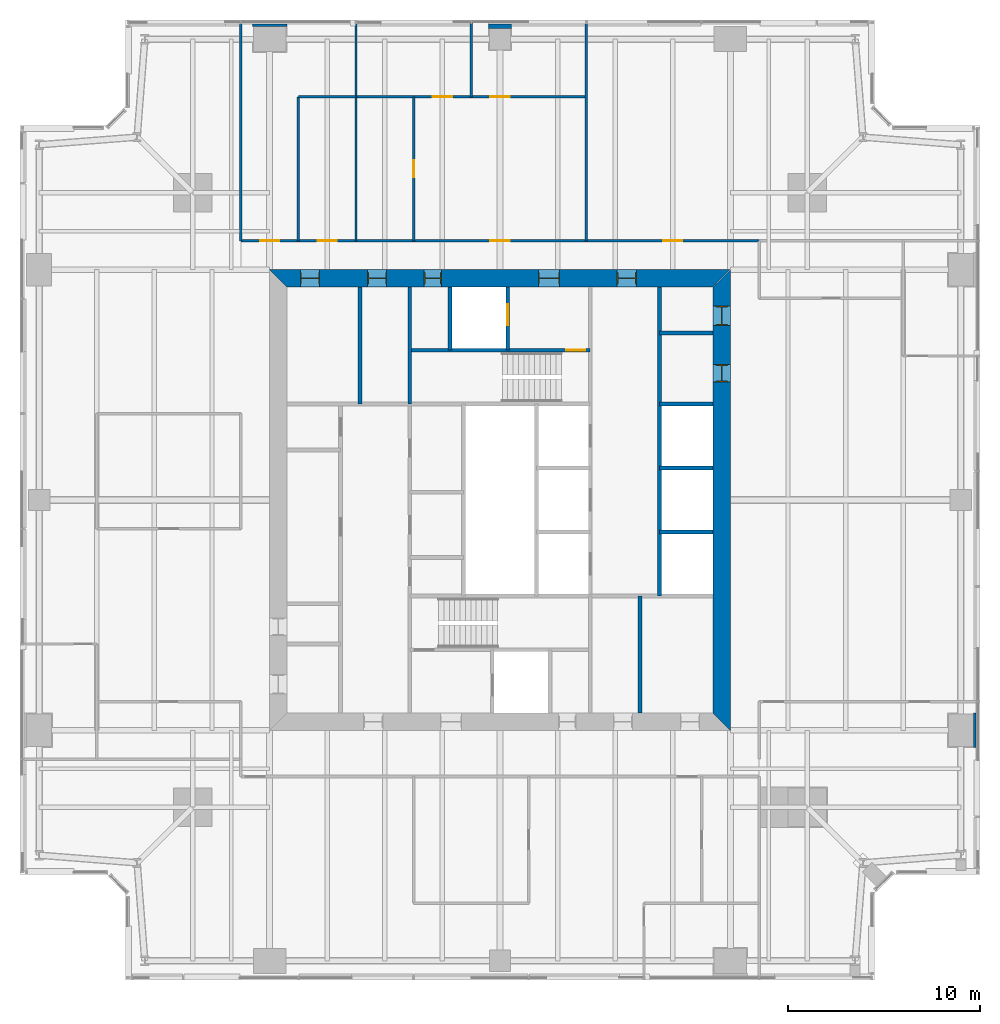
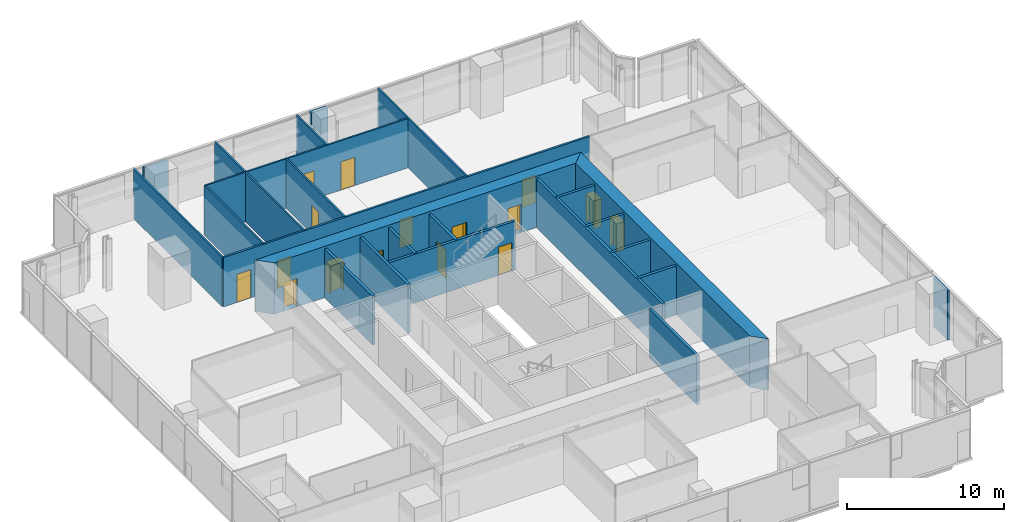
# One storey, part 12 of 15: 25 walls, 16 doors, 16 openings.
"""IFC4 building model written with IfcOpenShell, lengths in metres."""

from ifc_helpers import new_model, si_unit, direction, frame, frame_2d, origin, place, context, subcontext, project, spatial, polyline, rectangle, outline, extrude, material, layer, layer_set, type_object, element, fill, save


model = new_model("IFC4")

# Units and contexts
model_context = context("Model", 3, precision=1e-05, world=origin(), true_north=direction((0.0, 1.0)))
body_context = subcontext(model_context, "Body", "Model", "MODEL_VIEW")
ifc_project = project(units=[si_unit("LENGTHUNIT", "METRE"), si_unit("AREAUNIT", "SQUARE_METRE"), si_unit("VOLUMEUNIT", "CUBIC_METRE"), si_unit("PLANEANGLEUNIT", "RADIAN"), si_unit("MASSUNIT", "GRAM", prefix="KILO")], contexts=[model_context])

# Site, building, storey
site_placement = place(None, origin())
site = spatial("IfcSite", under=ifc_project, at=site_placement, CompositionType="ELEMENT")
building_placement = place(site_placement, origin())
building = spatial("IfcBuilding", under=site, at=building_placement, Name="Fenwick Lantern Interchange", CompositionType="ELEMENT")
storey_placement = place(building_placement, frame((0.0, 0.0, 209.800048828125)))
storey = spatial("IfcBuildingStorey", under=building, at=storey_placement, Name="L49", CompositionType="ELEMENT", Elevation=209.800048828125)

# Walls
ifc_material_1 = material(Name="Fire-rated gypsum board encasement on steel studs, 2 hour", Category="steel")
ifc_layer_1 = layer(ifc_material_1, 1.199951171875)
ifc_layer_set_1 = layer_set([ifc_layer_1], Name="COLUMN PIER 1200")
wall_type_1 = type_object("IfcWallType", Name="COLUMN PIER 1200", PredefinedType="PARTITIONING", material=ifc_layer_set_1)
wall_1_placement = place(storey_placement, frame((25.0, 49.800048828125, 0.0), z_axis=(0.0, 0.0, 1.0), x_axis=(0.0, -1.0, 0.0)))
element("IfcWall", 1, at=wall_1_placement, inside=storey, type_object=wall_type_1, Name="L49/W/PIER/CN3", PredefinedType="PARTITIONING", context=body_context, shape_type="SweptSolid", body=[
    extrude(rectangle(XDim=0.25, YDim=1.199951171875, at=frame_2d((0.125, 0.0))), origin(), (0.0, 0.0, 1.0), 3.849853515625),
])
ifc_layer_2 = layer(ifc_material_1, 1.800048828125)
ifc_layer_set_2 = layer_set([ifc_layer_2], Name="COLUMN PIER 1800")
wall_type_2 = type_object("IfcWallType", Name="COLUMN PIER 1800", PredefinedType="PARTITIONING", material=ifc_layer_set_2)
for number, where, z_axis, x_axis, name in (
    (2, (49.800048828125, 13.0, 0.0), (0.0, 0.0, 1.0), (-1.0, 0.0, 0.0), "L49/W/PIER/CE2"),
    (3, (13.0, 49.800048828125, 0.0), (0.0, 0.0, 1.0), (0.0, -1.0, 0.0), "L49/W/PIER/CN4"),
):
    element("IfcWall", number, at=place(storey_placement, frame(where, z_axis=z_axis, x_axis=x_axis)), inside=storey, type_object=wall_type_2, Name=name, PredefinedType="PARTITIONING", context=body_context, shape_type="SweptSolid", body=[
        extrude(rectangle(XDim=0.150146484375, YDim=1.800048828125, at=frame_2d((0.0751953125, 0.0))), origin(), (0.0, 0.0, 1.0), 3.849853515625),
    ])
ifc_material_2 = material(Name="Concrete masonry ASTM C90 Grade N", Category="masonry")
ifc_layer_3 = layer(ifc_material_2, 0.199951171875)
ifc_layer_set_3 = layer_set([ifc_layer_3], Name="Concrete masonry ASTM C90 Grade N")
wall_type_3 = type_object("IfcWallType", Name="CORE PARTITION 200", PredefinedType="PARTITIONING", material=ifc_layer_set_3)
wall_2_placement = place(storey_placement, frame((32.300048828125, 13.89990234375, 0.0), z_axis=(0.0, 0.0, 1.0), x_axis=(0.0, 1.0, 0.0)))
element("IfcWall", 4, at=wall_2_placement, inside=storey, type_object=wall_type_3, Name="L49/W/CORES/i2", PredefinedType="PARTITIONING", context=body_context, shape_type="SweptSolid", body=[
    extrude(rectangle(XDim=6.10009765625, YDim=0.199951171875, at=frame_2d((3.050048828125, 0.0))), origin(), (0.0, 0.0, 1.0), 3.800048828125),
])
wall_3_placement = place(storey_placement, frame((33.300048828125, 36.10009765625, 0.0), z_axis=(0.0, 0.0, 1.0), x_axis=(0.0, -1.0, 0.0)))
element("IfcWall", 5, at=wall_3_placement, inside=storey, type_object=wall_type_3, Name="L49/W/COREN/a", PredefinedType="PARTITIONING", context=body_context, shape_type="SweptSolid", body=[
    extrude(rectangle(XDim=16.10009765625, YDim=0.199951171875, at=frame_2d((8.050048828125, 0.0))), origin(), (0.0, 0.0, 1.0), 3.800048828125),
])
for number, where, z_axis, x_axis, name in (
    (6, (36.10009765625, 30.0, 0.0), (0.0, 0.0, 1.0), (-1.0, 0.0, 0.0), "L49/W/COREN/c2"),
    (7, (36.10009765625, 26.666748046875, 0.0), (0.0, 0.0, 1.0), (-1.0, 0.0, 0.0), "L49/W/COREN/d1"),
    (8, (36.10009765625, 23.333251953125, 0.0), (0.0, 0.0, 1.0), (-1.0, 0.0, 0.0), "L49/W/COREN/d2"),
):
    element("IfcWall", number, at=place(storey_placement, frame(where, z_axis=z_axis, x_axis=x_axis)), inside=storey, type_object=wall_type_3, Name=name, PredefinedType="PARTITIONING", context=body_context, shape_type="SweptSolid", body=[
        extrude(rectangle(XDim=2.800048828125, YDim=0.199951171875, at=frame_2d((1.39990234375, 0.0))), origin(), (0.0, 0.0, 1.0), 3.800048828125),
    ])

# Wall, opening, door
wall_4_placement = place(storey_placement, frame((25.39990234375, 36.10009765625, 0.0), z_axis=(0.0, 0.0, 1.0), x_axis=(0.0, -1.0, 0.0)))
wall_4 = element("IfcWall", 9, at=wall_4_placement, inside=storey, type_object=wall_type_3, Name="L49/W/COREN/h1", PredefinedType="PARTITIONING", context=body_context, shape_type="SweptSolid", body=[
    extrude(rectangle(XDim=3.300048828125, YDim=0.199951171875, at=frame_2d((1.64990234375, 0.0))), origin(), (0.0, 0.0, 1.0), 3.800048828125),
])
opening_1_placement = place(wall_4_placement, frame((0.89990234375, 0.0, 0.0)))
opening_1 = element("IfcOpeningElement", 10, at=opening_1_placement, cuts=wall_4, Name="Opening LD-FL2", PredefinedType="OPENING", context=body_context, shape_type="SweptSolid", body=[
    extrude(rectangle(XDim=1.10009765625, YDim=2.199951171875, at=frame_2d((0.550048828125, 1.10009765625))), frame((0.0, 0.10986328125, 0.0), z_axis=(0.0, -1.0, 0.0), x_axis=(1.0, 0.0, 0.0)), (0.0, 0.0, 1.0), 0.219970703125),
])
ifc_material_3 = material(Name="Steel door and frame", Category="steel")
door_type_1 = type_object("IfcDoorType", Name="LIFT LANDING DOOR 1100 X 2200", OperationType="DOUBLE_DOOR_SLIDING", PredefinedType="DOOR", material=ifc_material_3)
door_1_placement = place(opening_1_placement, origin())
door_1 = element("IfcDoor", 11, at=door_1_placement, inside=storey, type_object=door_type_1, Name="Lift landing door FL2", OperationType="DOUBLE_DOOR_SLIDING", OverallHeight=2.199951171875, OverallWidth=1.10009765625, PredefinedType="DOOR", context=body_context, shape_type="SweptSolid", body=[
    extrude(rectangle(XDim=1.10009765625, YDim=2.199951171875, at=frame_2d((0.550048828125, 1.10009765625))), frame((0.0, 0.02490234375, 0.0), z_axis=(0.0, -1.0, 0.0), x_axis=(1.0, 0.0, 0.0)), (0.0, 0.0, 1.0), 0.050048828125),
])
fill(opening_1, door_1)

# Walls
wall_5_placement = place(storey_placement, frame((22.39990234375, 36.10009765625, 0.0), z_axis=(0.0, 0.0, 1.0), x_axis=(0.0, -1.0, 0.0)))
element("IfcWall", 12, at=wall_5_placement, inside=storey, type_object=wall_type_3, Name="L49/W/COREN/h2", PredefinedType="PARTITIONING", context=body_context, shape_type="SweptSolid", body=[
    extrude(rectangle(XDim=3.300048828125, YDim=0.199951171875, at=frame_2d((1.64990234375, 0.0))), origin(), (0.0, 0.0, 1.0), 3.800048828125),
])
wall_6_placement = place(storey_placement, frame((17.699951171875, 36.10009765625, 0.0), z_axis=(0.0, 0.0, 1.0), x_axis=(0.0, -1.0, 0.0)))
element("IfcWall", 13, at=wall_6_placement, inside=storey, type_object=wall_type_3, Name="L49/W/COREN/i2", PredefinedType="PARTITIONING", context=body_context, shape_type="SweptSolid", body=[
    extrude(rectangle(XDim=6.10009765625, YDim=0.199951171875, at=frame_2d((3.050048828125, 0.0))), origin(), (0.0, 0.0, 1.0), 3.800048828125),
])
wall_7_placement = place(storey_placement, frame((36.10009765625, 33.699951171875, 0.0), z_axis=(0.0, 0.0, 1.0), x_axis=(-1.0, 0.0, 0.0)))
element("IfcWall", 14, at=wall_7_placement, inside=storey, type_object=wall_type_3, Name="L49/W/COREN/p1", PredefinedType="PARTITIONING", context=body_context, shape_type="SweptSolid", body=[
    extrude(rectangle(XDim=2.800048828125, YDim=0.199951171875, at=frame_2d((1.39990234375, 0.0))), origin(), (0.0, 0.0, 1.0), 3.800048828125),
])

# Wall, openings, doors
ifc_material_4 = material(Name="Concrete f'c 70 MPa", Category="concrete")
ifc_layer_4 = layer(ifc_material_4, 0.89990234375)
ifc_layer_set_4 = layer_set([ifc_layer_4], Name="CORE WALL 900")
wall_type_4 = type_object("IfcWallType", Name="CORE WALL 900", PredefinedType="SHEAR", material=ifc_layer_set_4)
wall_8_placement = place(storey_placement, frame((36.550048828125, 13.89990234375, 0.0), z_axis=(0.0, 0.0, 1.0), x_axis=(0.0, 1.0, 0.0)))
wall_8 = element("IfcWall", 15, at=wall_8_placement, inside=storey, type_object=wall_type_4, Name="L49/CORE/E", PredefinedType="SHEAR", context=body_context, shape_type="SweptSolid", body=[
    extrude(outline(polyline([(-0.89990234375, -0.449951171875), (23.10009765625, -0.449951171875), (22.199951171875, 0.449951171875), (0.0, 0.449951171875), (-0.89990234375, -0.449951171875)])), origin(), (0.0, 0.0, 1.0), 4.0),
])
opening_2_placement = place(wall_8_placement, frame((20.199951171875, 0.0, 0.0)))
opening_2 = element("IfcOpeningElement", 16, at=opening_2_placement, cuts=wall_8, Name="Opening L49-D020", PredefinedType="OPENING", context=body_context, shape_type="SweptSolid", body=[
    extrude(rectangle(XDim=1.0, YDim=2.199951171875, at=frame_2d((0.5, 1.10009765625))), frame((0.0, 0.4599609375, 0.0), z_axis=(0.0, -1.0, 0.0), x_axis=(1.0, 0.0, 0.0)), (0.0, 0.0, 1.0), 0.919921875),
])
opening_3_placement = place(wall_8_placement, frame((17.25, 0.0, 0.0)))
opening_3 = element("IfcOpeningElement", 17, at=opening_3_placement, cuts=wall_8, Name="Opening L49-D021", PredefinedType="OPENING", context=body_context, shape_type="SweptSolid", body=[
    extrude(rectangle(XDim=0.89990234375, YDim=2.199951171875, at=frame_2d((0.449951171875, 1.10009765625))), frame((0.0, 0.4599609375, 0.0), z_axis=(0.0, -1.0, 0.0), x_axis=(1.0, 0.0, 0.0)), (0.0, 0.0, 1.0), 0.919921875),
])
door_type_2 = type_object("IfcDoorType", Name="SERVICE DOOR 1000 X 2200", OperationType="SINGLE_SWING_LEFT", PredefinedType="DOOR", material=ifc_material_3)
door_2_placement = place(opening_2_placement, origin())
door_2 = element("IfcDoor", 18, at=door_2_placement, inside=storey, type_object=door_type_2, Name="Service door", OperationType="SINGLE_SWING_LEFT", OverallHeight=2.199951171875, OverallWidth=1.0, PredefinedType="DOOR", context=body_context, shape_type="SweptSolid", body=[
    extrude(rectangle(XDim=1.0, YDim=2.199951171875, at=frame_2d((0.5, 1.10009765625))), frame((0.0, 0.02490234375, 0.0), z_axis=(0.0, -1.0, 0.0), x_axis=(1.0, 0.0, 0.0)), (0.0, 0.0, 1.0), 0.050048828125),
    extrude(outline(polyline([(0.0, 0.0), (0.0400390625, 0.0), (0.0400390625, 2.159912109375), (0.9599609375, 2.159912109375), (0.9599609375, 0.0), (1.0, 0.0), (1.0, 2.199951171875), (0.0, 2.199951171875), (0.0, 0.0)])), frame((0.0, 0.300048828125, 0.0), z_axis=(0.0, -1.0, 0.0), x_axis=(1.0, 0.0, 0.0)), (0.0, 0.0, 1.0), 0.60009765625),
])
fill(opening_2, door_2)
door_type_3 = type_object("IfcDoorType", Name="SERVICE DOOR 900 X 2200", OperationType="SINGLE_SWING_LEFT", PredefinedType="DOOR", material=ifc_material_3)
door_3_placement = place(opening_3_placement, origin())
door_3 = element("IfcDoor", 19, at=door_3_placement, inside=storey, type_object=door_type_3, Name="Service door", OperationType="SINGLE_SWING_LEFT", OverallHeight=2.199951171875, OverallWidth=0.89990234375, PredefinedType="DOOR", context=body_context, shape_type="SweptSolid", body=[
    extrude(rectangle(XDim=0.89990234375, YDim=2.199951171875, at=frame_2d((0.449951171875, 1.10009765625))), frame((0.0, 0.02490234375, 0.0), z_axis=(0.0, -1.0, 0.0), x_axis=(1.0, 0.0, 0.0)), (0.0, 0.0, 1.0), 0.050048828125),
    extrude(outline(polyline([(0.0, 0.0), (0.0400390625, 0.0), (0.0400390625, 2.159912109375), (0.85986328125, 2.159912109375), (0.85986328125, 0.0), (0.89990234375, 0.0), (0.89990234375, 2.199951171875), (0.0, 2.199951171875), (0.0, 0.0)])), frame((0.0, 0.300048828125, 0.0), z_axis=(0.0, -1.0, 0.0), x_axis=(1.0, 0.0, 0.0)), (0.0, 0.0, 1.0), 0.60009765625),
])
fill(opening_3, door_3)

wall_9_placement = place(storey_placement, frame((37.0, 36.550048828125, 0.0), z_axis=(0.0, 0.0, 1.0), x_axis=(-1.0, 0.0, 0.0)))
wall_9 = element("IfcWall", 20, at=wall_9_placement, inside=storey, type_object=wall_type_4, Name="L49/CORE/N", PredefinedType="SHEAR", context=body_context, shape_type="SweptSolid", body=[
    extrude(outline(polyline([(0.0, -0.449951171875), (24.0, -0.449951171875), (23.10009765625, 0.449951171875), (0.89990234375, 0.449951171875), (0.0, -0.449951171875)])), origin(), (0.0, 0.0, 1.0), 4.0),
])
opening_4_placement = place(wall_9_placement, frame((4.89990234375, 0.0, 0.0)))
opening_4 = element("IfcOpeningElement", 21, at=opening_4_placement, cuts=wall_9, Name="Opening L49-D014", PredefinedType="OPENING", context=body_context, shape_type="SweptSolid", body=[
    extrude(rectangle(XDim=1.0, YDim=2.199951171875, at=frame_2d((0.5, 1.10009765625))), frame((0.0, 0.4599609375, 0.0), z_axis=(0.0, -1.0, 0.0), x_axis=(1.0, 0.0, 0.0)), (0.0, 0.0, 1.0), 0.919921875),
])
opening_5_placement = place(wall_9_placement, frame((8.89990234375, 0.0, 0.0)))
opening_5 = element("IfcOpeningElement", 22, at=opening_5_placement, cuts=wall_9, Name="Opening L49-D015", PredefinedType="OPENING", context=body_context, shape_type="SweptSolid", body=[
    extrude(rectangle(XDim=1.10009765625, YDim=2.199951171875, at=frame_2d((0.550048828125, 1.10009765625))), frame((0.0, 0.4599609375, 0.0), z_axis=(0.0, -1.0, 0.0), x_axis=(1.0, 0.0, 0.0)), (0.0, 0.0, 1.0), 0.919921875),
])
opening_6_placement = place(wall_9_placement, frame((15.050048828125, 0.0, 0.0)))
opening_6 = element("IfcOpeningElement", 23, at=opening_6_placement, cuts=wall_9, Name="Opening L49-D017", PredefinedType="OPENING", context=body_context, shape_type="SweptSolid", body=[
    extrude(rectangle(XDim=0.89990234375, YDim=2.199951171875, at=frame_2d((0.449951171875, 1.10009765625))), frame((0.0, 0.4599609375, 0.0), z_axis=(0.0, -1.0, 0.0), x_axis=(1.0, 0.0, 0.0)), (0.0, 0.0, 1.0), 0.919921875),
])
opening_7_placement = place(wall_9_placement, frame((17.89990234375, 0.0, 0.0)))
opening_7 = element("IfcOpeningElement", 24, at=opening_7_placement, cuts=wall_9, Name="Opening L49-D018", PredefinedType="OPENING", context=body_context, shape_type="SweptSolid", body=[
    extrude(rectangle(XDim=1.0, YDim=2.199951171875, at=frame_2d((0.5, 1.10009765625))), frame((0.0, 0.4599609375, 0.0), z_axis=(0.0, -1.0, 0.0), x_axis=(1.0, 0.0, 0.0)), (0.0, 0.0, 1.0), 0.919921875),
])
opening_8_placement = place(wall_9_placement, frame((21.39990234375, 0.0, 0.0)))
opening_8 = element("IfcOpeningElement", 25, at=opening_8_placement, cuts=wall_9, Name="Opening L49-D019", PredefinedType="OPENING", context=body_context, shape_type="SweptSolid", body=[
    extrude(rectangle(XDim=1.0, YDim=2.199951171875, at=frame_2d((0.5, 1.10009765625))), frame((0.0, 0.4599609375, 0.0), z_axis=(0.0, -1.0, 0.0), x_axis=(1.0, 0.0, 0.0)), (0.0, 0.0, 1.0), 0.919921875),
])
door_type_4 = type_object("IfcDoorType", Name="CORE LOBBY DOOR 1000 X 2200", OperationType="SINGLE_SWING_LEFT", PredefinedType="DOOR", material=ifc_material_3)
door_4_placement = place(opening_4_placement, origin())
door_4 = element("IfcDoor", 26, at=door_4_placement, inside=storey, type_object=door_type_4, Name="Core lobby door", OperationType="SINGLE_SWING_LEFT", OverallHeight=2.199951171875, OverallWidth=1.0, PredefinedType="DOOR", context=body_context, shape_type="SweptSolid", body=[
    extrude(rectangle(XDim=1.0, YDim=2.199951171875, at=frame_2d((0.5, 1.10009765625))), frame((0.0, 0.02490234375, 0.0), z_axis=(0.0, -1.0, 0.0), x_axis=(1.0, 0.0, 0.0)), (0.0, 0.0, 1.0), 0.050048828125),
    extrude(outline(polyline([(0.0, 0.0), (0.0400390625, 0.0), (0.0400390625, 2.159912109375), (0.9599609375, 2.159912109375), (0.9599609375, 0.0), (1.0, 0.0), (1.0, 2.199951171875), (0.0, 2.199951171875), (0.0, 0.0)])), frame((0.0, 0.300048828125, 0.0), z_axis=(0.0, -1.0, 0.0), x_axis=(1.0, 0.0, 0.0)), (0.0, 0.0, 1.0), 0.60009765625),
])
fill(opening_4, door_4)
door_type_5 = type_object("IfcDoorType", Name="FIRE LOBBY DOOR 1100 X 2200", OperationType="SINGLE_SWING_LEFT", PredefinedType="DOOR", material=ifc_material_3)
door_5_placement = place(opening_5_placement, origin())
door_5 = element("IfcDoor", 27, at=door_5_placement, inside=storey, type_object=door_type_5, Name="Fire lobby door", OperationType="SINGLE_SWING_LEFT", OverallHeight=2.199951171875, OverallWidth=1.10009765625, PredefinedType="DOOR", context=body_context, shape_type="SweptSolid", body=[
    extrude(rectangle(XDim=1.10009765625, YDim=2.199951171875, at=frame_2d((0.550048828125, 1.10009765625))), frame((0.0, 0.02490234375, 0.0), z_axis=(0.0, -1.0, 0.0), x_axis=(1.0, 0.0, 0.0)), (0.0, 0.0, 1.0), 0.050048828125),
    extrude(outline(polyline([(0.0, 0.0), (0.0400390625, 0.0), (0.0400390625, 2.159912109375), (1.06005859375, 2.159912109375), (1.06005859375, 0.0), (1.10009765625, 0.0), (1.10009765625, 2.199951171875), (0.0, 2.199951171875), (0.0, 0.0)])), frame((0.0, 0.300048828125, 0.0), z_axis=(0.0, -1.0, 0.0), x_axis=(1.0, 0.0, 0.0)), (0.0, 0.0, 1.0), 0.60009765625),
])
fill(opening_5, door_5)
door_6_placement = place(opening_6_placement, origin())
door_6 = element("IfcDoor", 28, at=door_6_placement, inside=storey, type_object=door_type_3, Name="Service door", OperationType="SINGLE_SWING_LEFT", OverallHeight=2.199951171875, OverallWidth=0.89990234375, PredefinedType="DOOR", context=body_context, shape_type="SweptSolid", body=[
    extrude(rectangle(XDim=0.89990234375, YDim=2.199951171875, at=frame_2d((0.449951171875, 1.10009765625))), frame((0.0, 0.02490234375, 0.0), z_axis=(0.0, -1.0, 0.0), x_axis=(1.0, 0.0, 0.0)), (0.0, 0.0, 1.0), 0.050048828125),
    extrude(outline(polyline([(0.0, 0.0), (0.0400390625, 0.0), (0.0400390625, 2.159912109375), (0.85986328125, 2.159912109375), (0.85986328125, 0.0), (0.89990234375, 0.0), (0.89990234375, 2.199951171875), (0.0, 2.199951171875), (0.0, 0.0)])), frame((0.0, 0.300048828125, 0.0), z_axis=(0.0, -1.0, 0.0), x_axis=(1.0, 0.0, 0.0)), (0.0, 0.0, 1.0), 0.60009765625),
])
fill(opening_6, door_6)
ifc_material_5 = material(Name="Hardwood door and steel frame", Category="steel")
door_type_6 = type_object("IfcDoorType", Name="WC DOOR 1000 X 2200", OperationType="SINGLE_SWING_LEFT", PredefinedType="DOOR", material=ifc_material_5)
door_7_placement = place(opening_7_placement, origin())
door_7 = element("IfcDoor", 29, at=door_7_placement, inside=storey, type_object=door_type_6, Name="Wc door", OperationType="SINGLE_SWING_RIGHT", OverallHeight=2.199951171875, OverallWidth=1.0, PredefinedType="DOOR", context=body_context, shape_type="SweptSolid", body=[
    extrude(rectangle(XDim=1.0, YDim=2.199951171875, at=frame_2d((0.5, 1.10009765625))), frame((0.0, 0.02490234375, 0.0), z_axis=(0.0, -1.0, 0.0), x_axis=(1.0, 0.0, 0.0)), (0.0, 0.0, 1.0), 0.050048828125),
    extrude(outline(polyline([(0.0, 0.0), (0.0400390625, 0.0), (0.0400390625, 2.159912109375), (0.9599609375, 2.159912109375), (0.9599609375, 0.0), (1.0, 0.0), (1.0, 2.199951171875), (0.0, 2.199951171875), (0.0, 0.0)])), frame((0.0, 0.300048828125, 0.0), z_axis=(0.0, -1.0, 0.0), x_axis=(1.0, 0.0, 0.0)), (0.0, 0.0, 1.0), 0.60009765625),
])
fill(opening_7, door_7)
door_8_placement = place(opening_8_placement, origin())
door_8 = element("IfcDoor", 30, at=door_8_placement, inside=storey, type_object=door_type_6, Name="Wc door", OperationType="SINGLE_SWING_RIGHT", OverallHeight=2.199951171875, OverallWidth=1.0, PredefinedType="DOOR", context=body_context, shape_type="SweptSolid", body=[
    extrude(rectangle(XDim=1.0, YDim=2.199951171875, at=frame_2d((0.5, 1.10009765625))), frame((0.0, 0.02490234375, 0.0), z_axis=(0.0, -1.0, 0.0), x_axis=(1.0, 0.0, 0.0)), (0.0, 0.0, 1.0), 0.050048828125),
    extrude(outline(polyline([(0.0, 0.0), (0.0400390625, 0.0), (0.0400390625, 2.159912109375), (0.9599609375, 2.159912109375), (0.9599609375, 0.0), (1.0, 0.0), (1.0, 2.199951171875), (0.0, 2.199951171875), (0.0, 0.0)])), frame((0.0, 0.300048828125, 0.0), z_axis=(0.0, -1.0, 0.0), x_axis=(1.0, 0.0, 0.0)), (0.0, 0.0, 1.0), 0.60009765625),
])
fill(opening_8, door_8)

ifc_material_6 = material(Name="Gypsum board on steel studs, 1 hour", Category="steel")
ifc_layer_5 = layer(ifc_material_6, 0.14990234375)
ifc_layer_set_5 = layer_set([ifc_layer_5], Name="CORRIDOR WALL 150")
wall_type_5 = type_object("IfcWallType", Name="CORRIDOR WALL 150", PredefinedType="PARTITIONING", material=ifc_layer_set_5)
wall_10_placement = place(storey_placement, frame((38.5, 38.5, 0.0), z_axis=(0.0, 0.0, 1.0), x_axis=(-1.0, 0.0, 0.0)))
wall_10 = element("IfcWall", 31, at=wall_10_placement, inside=storey, type_object=wall_type_5, Name="L49/W/OFF/N/CW", PredefinedType="PARTITIONING", context=body_context, shape_type="SweptSolid", body=[
    extrude(rectangle(XDim=27.0, YDim=0.14990234375, at=frame_2d((13.5, 0.0))), origin(), (0.0, 0.0, 1.0), 3.849853515625),
])
opening_9_placement = place(wall_10_placement, frame((13.0, 0.0, 0.0)))
opening_9 = element("IfcOpeningElement", 32, at=opening_9_placement, cuts=wall_10, Name="Opening L49-D031", PredefinedType="OPENING", context=body_context, shape_type="SweptSolid", body=[
    extrude(rectangle(XDim=1.0, YDim=2.199951171875, at=frame_2d((0.5, 1.10009765625))), frame((0.0, 0.0849609375, 0.0), z_axis=(0.0, -1.0, 0.0), x_axis=(1.0, 0.0, 0.0)), (0.0, 0.0, 1.0), 0.169921875),
])
opening_10_placement = place(wall_10_placement, frame((4.0, 0.0, 0.0)))
opening_10 = element("IfcOpeningElement", 33, at=opening_10_placement, cuts=wall_10, Name="Opening L49-D035", PredefinedType="OPENING", context=body_context, shape_type="SweptSolid", body=[
    extrude(rectangle(XDim=1.0, YDim=2.199951171875, at=frame_2d((0.5, 1.10009765625))), frame((0.0, 0.0849609375, 0.0), z_axis=(0.0, -1.0, 0.0), x_axis=(1.0, 0.0, 0.0)), (0.0, 0.0, 1.0), 0.169921875),
])
opening_11_placement = place(wall_10_placement, frame((22.0, 0.0, 0.0)))
opening_11 = element("IfcOpeningElement", 34, at=opening_11_placement, cuts=wall_10, Name="Opening L49-D036", PredefinedType="OPENING", context=body_context, shape_type="SweptSolid", body=[
    extrude(rectangle(XDim=1.0, YDim=2.199951171875, at=frame_2d((0.5, 1.10009765625))), frame((0.0, 0.0849609375, 0.0), z_axis=(0.0, -1.0, 0.0), x_axis=(1.0, 0.0, 0.0)), (0.0, 0.0, 1.0), 0.169921875),
])
opening_12_placement = place(wall_10_placement, frame((25.0, 0.0, 0.0)))
opening_12 = element("IfcOpeningElement", 35, at=opening_12_placement, cuts=wall_10, Name="Opening L49-D037", PredefinedType="OPENING", context=body_context, shape_type="SweptSolid", body=[
    extrude(rectangle(XDim=1.0, YDim=2.199951171875, at=frame_2d((0.5, 1.10009765625))), frame((0.0, 0.0849609375, 0.0), z_axis=(0.0, -1.0, 0.0), x_axis=(1.0, 0.0, 0.0)), (0.0, 0.0, 1.0), 0.169921875),
])
door_type_7 = type_object("IfcDoorType", Name="SUITE ENTRANCE DOOR 1000 X 2200", OperationType="SINGLE_SWING_LEFT", PredefinedType="DOOR", material=ifc_material_3)
door_9_placement = place(opening_9_placement, frame((1.0, 0.0, 0.0), z_axis=(0.0, 0.0, 1.0), x_axis=(-1.0, 0.0, 0.0)))
door_9 = element("IfcDoor", 36, at=door_9_placement, inside=storey, type_object=door_type_7, Name="Suite entrance door", OperationType="SINGLE_SWING_RIGHT", OverallHeight=2.199951171875, OverallWidth=1.0, PredefinedType="DOOR", context=body_context, shape_type="SweptSolid", body=[
    extrude(rectangle(XDim=1.0, YDim=2.199951171875, at=frame_2d((0.5, 1.10009765625))), frame((0.0, 0.02490234375, 0.0), z_axis=(0.0, -1.0, 0.0), x_axis=(1.0, 0.0, 0.0)), (0.0, 0.0, 1.0), 0.050048828125),
])
fill(opening_9, door_9)
door_10_placement = place(opening_10_placement, frame((1.0, 0.0, 0.0), z_axis=(0.0, 0.0, 1.0), x_axis=(-1.0, 0.0, 0.0)))
door_10 = element("IfcDoor", 37, at=door_10_placement, inside=storey, type_object=door_type_7, Name="Suite entrance door", OperationType="SINGLE_SWING_LEFT", OverallHeight=2.199951171875, OverallWidth=1.0, PredefinedType="DOOR", context=body_context, shape_type="SweptSolid", body=[
    extrude(rectangle(XDim=1.0, YDim=2.199951171875, at=frame_2d((0.5, 1.10009765625))), frame((0.0, 0.02490234375, 0.0), z_axis=(0.0, -1.0, 0.0), x_axis=(1.0, 0.0, 0.0)), (0.0, 0.0, 1.0), 0.050048828125),
])
fill(opening_10, door_10)
door_11_placement = place(opening_11_placement, frame((1.0, 0.0, 0.0), z_axis=(0.0, 0.0, 1.0), x_axis=(-1.0, 0.0, 0.0)))
door_11 = element("IfcDoor", 38, at=door_11_placement, inside=storey, type_object=door_type_7, Name="Suite entrance door", OperationType="SINGLE_SWING_RIGHT", OverallHeight=2.199951171875, OverallWidth=1.0, PredefinedType="DOOR", context=body_context, shape_type="SweptSolid", body=[
    extrude(rectangle(XDim=1.0, YDim=2.199951171875, at=frame_2d((0.5, 1.10009765625))), frame((0.0, 0.02490234375, 0.0), z_axis=(0.0, -1.0, 0.0), x_axis=(1.0, 0.0, 0.0)), (0.0, 0.0, 1.0), 0.050048828125),
])
fill(opening_11, door_11)
door_12_placement = place(opening_12_placement, frame((1.0, 0.0, 0.0), z_axis=(0.0, 0.0, 1.0), x_axis=(-1.0, 0.0, 0.0)))
door_12 = element("IfcDoor", 39, at=door_12_placement, inside=storey, type_object=door_type_7, Name="Suite entrance door", OperationType="SINGLE_SWING_RIGHT", OverallHeight=2.199951171875, OverallWidth=1.0, PredefinedType="DOOR", context=body_context, shape_type="SweptSolid", body=[
    extrude(rectangle(XDim=1.0, YDim=2.199951171875, at=frame_2d((0.5, 1.10009765625))), frame((0.0, 0.02490234375, 0.0), z_axis=(0.0, -1.0, 0.0), x_axis=(1.0, 0.0, 0.0)), (0.0, 0.0, 1.0), 0.050048828125),
])
fill(opening_12, door_12)

# Walls
ifc_material_7 = material(Name="Gypsum board on steel studs, acoustic", Category="steel")
ifc_layer_6 = layer(ifc_material_7, 0.125)
ifc_layer_set_6 = layer_set([ifc_layer_6], Name="OFFICE PARTITION 125")
wall_type_6 = type_object("IfcWallType", Name="OFFICE PARTITION 125", PredefinedType="PARTITIONING", material=ifc_layer_set_6)
wall_11_placement = place(storey_placement, frame((29.5, 49.85009765625, 0.0), z_axis=(0.0, 0.0, 1.0), x_axis=(0.0, -1.0, 0.0)))
element("IfcWall", 40, at=wall_11_placement, inside=storey, type_object=wall_type_6, Name="L49/W/OFF/N/X205-1", PredefinedType="PARTITIONING", context=body_context, shape_type="SweptSolid", body=[
    extrude(rectangle(XDim=11.35009765625, YDim=0.125, at=frame_2d((5.675048828125, 0.0))), origin(), (0.0, 0.0, 1.0), 3.849853515625),
])
wall_12_placement = place(storey_placement, frame((23.5, 49.85009765625, 0.0), z_axis=(0.0, 0.0, 1.0), x_axis=(0.0, -1.0, 0.0)))
element("IfcWall", 41, at=wall_12_placement, inside=storey, type_object=wall_type_6, Name="L49/W/OFF/N/X265-1", PredefinedType="PARTITIONING", context=body_context, shape_type="SweptSolid", body=[
    extrude(rectangle(XDim=3.85009765625, YDim=0.125, at=frame_2d((1.925048828125, 0.0))), origin(), (0.0, 0.0, 1.0), 3.849853515625),
])

# Wall, opening, door
wall_13_placement = place(storey_placement, frame((20.5, 46.0, 0.0), z_axis=(0.0, 0.0, 1.0), x_axis=(0.0, -1.0, 0.0)))
wall_13 = element("IfcWall", 42, at=wall_13_placement, inside=storey, type_object=wall_type_6, Name="L49/W/OFF/N/X295-1", PredefinedType="PARTITIONING", context=body_context, shape_type="SweptSolid", body=[
    extrude(rectangle(XDim=7.5, YDim=0.125, at=frame_2d((3.75, 0.0))), origin(), (0.0, 0.0, 1.0), 3.849853515625),
])
opening_13_placement = place(wall_13_placement, frame((3.300048828125, 0.0, 0.0)))
opening_13 = element("IfcOpeningElement", 43, at=opening_13_placement, cuts=wall_13, Name="Opening L49-D034", PredefinedType="OPENING", context=body_context, shape_type="SweptSolid", body=[
    extrude(rectangle(XDim=0.89990234375, YDim=2.199951171875, at=frame_2d((0.449951171875, 1.10009765625))), frame((0.0, 0.072509765625, 0.0), z_axis=(0.0, -1.0, 0.0), x_axis=(1.0, 0.0, 0.0)), (0.0, 0.0, 1.0), 0.14501953125),
])
door_type_8 = type_object("IfcDoorType", Name="OFFICE DOOR 900 X 2200", OperationType="SINGLE_SWING_LEFT", PredefinedType="DOOR", material=ifc_material_5)
door_13_placement = place(opening_13_placement, frame((0.89990234375, 0.0, 0.0), z_axis=(0.0, 0.0, 1.0), x_axis=(-1.0, 0.0, 0.0)))
door_13 = element("IfcDoor", 44, at=door_13_placement, inside=storey, type_object=door_type_8, Name="Office door", OperationType="SINGLE_SWING_RIGHT", OverallHeight=2.199951171875, OverallWidth=0.89990234375, PredefinedType="DOOR", context=body_context, shape_type="SweptSolid", body=[
    extrude(rectangle(XDim=0.89990234375, YDim=2.199951171875, at=frame_2d((0.449951171875, 1.10009765625))), frame((0.0, 0.02490234375, 0.0), z_axis=(0.0, -1.0, 0.0), x_axis=(1.0, 0.0, 0.0)), (0.0, 0.0, 1.0), 0.050048828125),
])
fill(opening_13, door_13)

# Walls
wall_14_placement = place(storey_placement, frame((17.5, 49.85009765625, 0.0), z_axis=(0.0, 0.0, 1.0), x_axis=(0.0, -1.0, 0.0)))
element("IfcWall", 45, at=wall_14_placement, inside=storey, type_object=wall_type_6, Name="L49/W/OFF/N/X325-1", PredefinedType="PARTITIONING", context=body_context, shape_type="SweptSolid", body=[
    extrude(rectangle(XDim=11.35009765625, YDim=0.125, at=frame_2d((5.675048828125, 0.0))), origin(), (0.0, 0.0, 1.0), 3.849853515625),
])
wall_15_placement = place(storey_placement, frame((14.5, 46.0, 0.0), z_axis=(0.0, 0.0, 1.0), x_axis=(0.0, -1.0, 0.0)))
element("IfcWall", 46, at=wall_15_placement, inside=storey, type_object=wall_type_6, Name="L49/W/OFF/N/X355-1", PredefinedType="PARTITIONING", context=body_context, shape_type="SweptSolid", body=[
    extrude(rectangle(XDim=7.5, YDim=0.125, at=frame_2d((3.75, 0.0))), origin(), (0.0, 0.0, 1.0), 3.849853515625),
])

# Wall, openings, doors
wall_16_placement = place(storey_placement, frame((29.5, 46.0, 0.0), z_axis=(0.0, 0.0, 1.0), x_axis=(-1.0, 0.0, 0.0)))
wall_16 = element("IfcWall", 47, at=wall_16_placement, inside=storey, type_object=wall_type_6, Name="L49/W/OFF/N/Y40-1", PredefinedType="PARTITIONING", context=body_context, shape_type="SweptSolid", body=[
    extrude(rectangle(XDim=12.0, YDim=0.125, at=frame_2d((6.0, 0.0))), origin(), (0.0, 0.0, 1.0), 3.849853515625),
])
opening_14_placement = place(wall_16_placement, frame((4.0, 0.0, 0.0)))
opening_14 = element("IfcOpeningElement", 48, at=opening_14_placement, cuts=wall_16, Name="Opening L49-D032", PredefinedType="OPENING", context=body_context, shape_type="SweptSolid", body=[
    extrude(rectangle(XDim=1.0, YDim=2.199951171875, at=frame_2d((0.5, 1.10009765625))), frame((0.0, 0.072509765625, 0.0), z_axis=(0.0, -1.0, 0.0), x_axis=(1.0, 0.0, 0.0)), (0.0, 0.0, 1.0), 0.14501953125),
])
opening_15_placement = place(wall_16_placement, frame((7.0, 0.0, 0.0)))
opening_15 = element("IfcOpeningElement", 49, at=opening_15_placement, cuts=wall_16, Name="Opening L49-D033", PredefinedType="OPENING", context=body_context, shape_type="SweptSolid", body=[
    extrude(rectangle(XDim=1.0, YDim=2.199951171875, at=frame_2d((0.5, 1.10009765625))), frame((0.0, 0.072509765625, 0.0), z_axis=(0.0, -1.0, 0.0), x_axis=(1.0, 0.0, 0.0)), (0.0, 0.0, 1.0), 0.14501953125),
])
door_type_9 = type_object("IfcDoorType", Name="MEETING ROOM DOOR 1000 X 2200", OperationType="SINGLE_SWING_LEFT", PredefinedType="DOOR", material=ifc_material_5)
door_14_placement = place(opening_14_placement, frame((1.0, 0.0, 0.0), z_axis=(0.0, 0.0, 1.0), x_axis=(-1.0, 0.0, 0.0)))
door_14 = element("IfcDoor", 50, at=door_14_placement, inside=storey, type_object=door_type_9, Name="Meeting room door", OperationType="SINGLE_SWING_LEFT", OverallHeight=2.199951171875, OverallWidth=1.0, PredefinedType="DOOR", context=body_context, shape_type="SweptSolid", body=[
    extrude(rectangle(XDim=1.0, YDim=2.199951171875, at=frame_2d((0.5, 1.10009765625))), frame((0.0, 0.02490234375, 0.0), z_axis=(0.0, -1.0, 0.0), x_axis=(1.0, 0.0, 0.0)), (0.0, 0.0, 1.0), 0.050048828125),
])
fill(opening_14, door_14)
door_15_placement = place(opening_15_placement, frame((1.0, 0.0, 0.0), z_axis=(0.0, 0.0, 1.0), x_axis=(-1.0, 0.0, 0.0)))
door_15 = element("IfcDoor", 51, at=door_15_placement, inside=storey, type_object=door_type_9, Name="Meeting room door", OperationType="SINGLE_SWING_RIGHT", OverallHeight=2.199951171875, OverallWidth=1.0, PredefinedType="DOOR", context=body_context, shape_type="SweptSolid", body=[
    extrude(rectangle(XDim=1.0, YDim=2.199951171875, at=frame_2d((0.5, 1.10009765625))), frame((0.0, 0.02490234375, 0.0), z_axis=(0.0, -1.0, 0.0), x_axis=(1.0, 0.0, 0.0)), (0.0, 0.0, 1.0), 0.050048828125),
])
fill(opening_15, door_15)

# Walls
wall_17_placement = place(storey_placement, frame((17.5, 46.0, 0.0), z_axis=(0.0, 0.0, 1.0), x_axis=(-1.0, 0.0, 0.0)))
element("IfcWall", 52, at=wall_17_placement, inside=storey, type_object=wall_type_6, Name="L49/W/OFF/N/Y40-2", PredefinedType="PARTITIONING", context=body_context, shape_type="SweptSolid", body=[
    extrude(rectangle(XDim=3.0, YDim=0.125, at=frame_2d((1.5, 0.0))), origin(), (0.0, 0.0, 1.0), 3.849853515625),
])
wall_18_placement = place(storey_placement, frame((11.5, 49.85009765625, 0.0), z_axis=(0.0, 0.0, 1.0), x_axis=(0.0, -1.0, 0.0)))
element("IfcWall", 53, at=wall_18_placement, inside=storey, type_object=wall_type_6, Name="L49/W/OFF/W/BACK", PredefinedType="PARTITIONING", context=body_context, shape_type="SweptSolid", body=[
    extrude(rectangle(XDim=11.35009765625, YDim=0.125, at=frame_2d((5.675048828125, 0.0))), origin(), (0.0, 0.0, 1.0), 3.849853515625),
])

# Wall, opening, door
ifc_material_8 = material(Name="Concrete f'c 45 MPa", Category="concrete")
ifc_layer_7 = layer(ifc_material_8, 0.199951171875)
ifc_layer_set_7 = layer_set([ifc_layer_7], Name="STAIR CORE WALL 200")
wall_type_7 = type_object("IfcWallType", Name="STAIR CORE WALL 200", PredefinedType="SOLIDWALL", material=ifc_layer_set_7)
wall_19_placement = place(storey_placement, frame((29.699951171875, 32.800048828125, 0.0), z_axis=(0.0, 0.0, 1.0), x_axis=(-1.0, 0.0, 0.0)))
wall_19 = element("IfcWall", 54, at=wall_19_placement, inside=storey, type_object=wall_type_7, Name="L49/W/COREN/g1", PredefinedType="SOLIDWALL", context=body_context, shape_type="SweptSolid", body=[
    extrude(rectangle(XDim=9.39990234375, YDim=0.199951171875, at=frame_2d((4.699951171875, 0.0))), origin(), (0.0, 0.0, 1.0), 3.800048828125),
])
opening_16_placement = place(wall_19_placement, frame((0.25, 0.0, 0.0)))
opening_16 = element("IfcOpeningElement", 55, at=opening_16_placement, cuts=wall_19, Name="Opening L49-D016", PredefinedType="OPENING", context=body_context, shape_type="SweptSolid", body=[
    extrude(rectangle(XDim=1.0, YDim=2.199951171875, at=frame_2d((0.5, 1.10009765625))), frame((0.0, 0.10986328125, 0.0), z_axis=(0.0, -1.0, 0.0), x_axis=(1.0, 0.0, 0.0)), (0.0, 0.0, 1.0), 0.219970703125),
])
door_type_10 = type_object("IfcDoorType", Name="STAIR DOOR 1000 X 2200", OperationType="SINGLE_SWING_LEFT", PredefinedType="DOOR", material=ifc_material_3)
door_16_placement = place(opening_16_placement, origin())
door_16 = element("IfcDoor", 56, at=door_16_placement, inside=storey, type_object=door_type_10, Name="Stair door", OperationType="SINGLE_SWING_LEFT", OverallHeight=2.199951171875, OverallWidth=1.0, PredefinedType="DOOR", context=body_context, shape_type="SweptSolid", body=[
    extrude(rectangle(XDim=1.0, YDim=2.199951171875, at=frame_2d((0.5, 1.10009765625))), frame((0.0, 0.02490234375, 0.0), z_axis=(0.0, -1.0, 0.0), x_axis=(1.0, 0.0, 0.0)), (0.0, 0.0, 1.0), 0.050048828125),
])
fill(opening_16, door_16)

# Wall
wall_20_placement = place(storey_placement, frame((20.300048828125, 36.10009765625, 0.0), z_axis=(0.0, 0.0, 1.0), x_axis=(0.0, -1.0, 0.0)))
element("IfcWall", 57, at=wall_20_placement, inside=storey, type_object=wall_type_7, Name="L49/W/COREN/i1", PredefinedType="SOLIDWALL", context=body_context, shape_type="SweptSolid", body=[
    extrude(rectangle(XDim=6.10009765625, YDim=0.199951171875, at=frame_2d((3.050048828125, 0.0))), origin(), (0.0, 0.0, 1.0), 3.800048828125),
])

save(model, "model.ifc")
